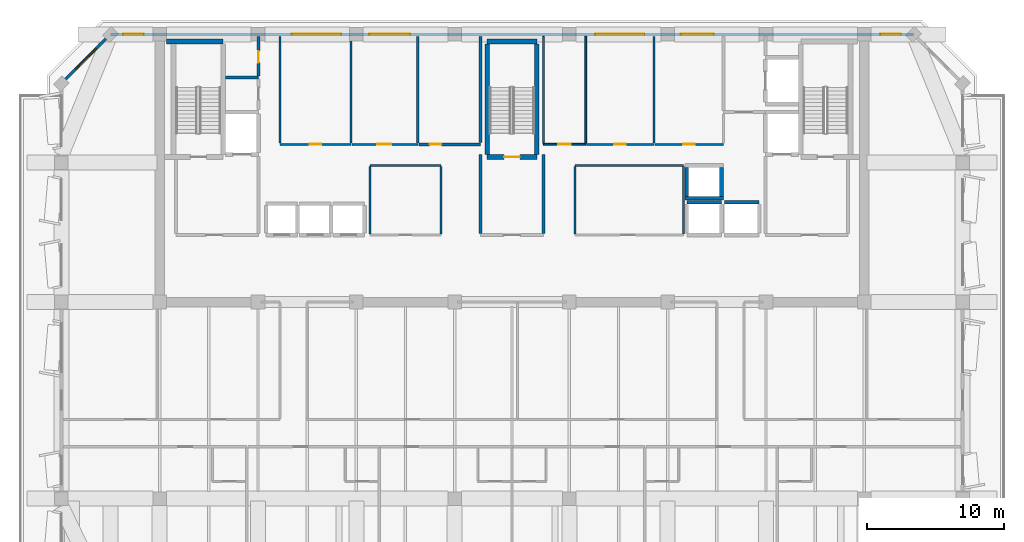
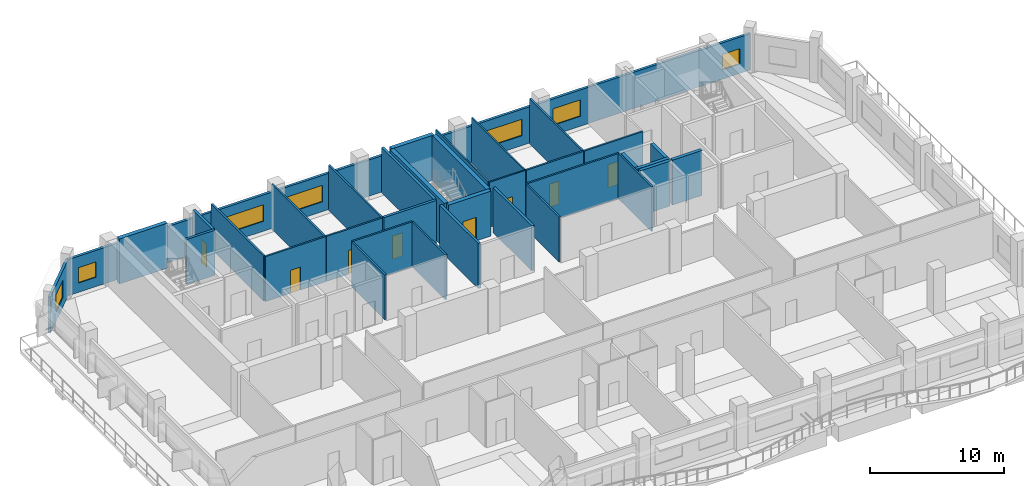
# One storey, part 6 of 12: 35 walls, 8 doors, 7 windows, 15 openings.
"""IFC4 building model written with IfcOpenShell, lengths in metres."""

import ifcopenshell
import ifcopenshell.guid

model = None  # the IFC model being written
_history = None  # IfcOwnerHistory: only IFC2X3 demands one
_inside = {}  # id of a spatial element -> (the spatial element, [elements in it])
_under = {}  # id of a project, library or spatial element -> (it, [spatial elements below it])
_declared = {}  # id of a project -> (the project, [libraries it declares])
_typed = {}  # id of a type object -> (the type object, [elements of that type])
_made_of = {}  # id of a material, layer set ... -> (it, [elements and type objects made of it])


def new_model(schema):
    """Start an empty IFC model of exactly this schema.

    Asked for "IFC4X3", IfcOpenShell would pick the latest addendum, in which some entities
    have other attributes; the version numbers below select the first issue.
    IFC2X3 requires an IfcOwnerHistory on every rooted entity: one is made here for all.
    """
    global model, _history
    if schema == "IFC4X3":
        model = ifcopenshell.file(schema_version=(4, 3, 0, 0))
    else:
        model = ifcopenshell.file(schema=schema)
    _inside.clear()
    _under.clear()
    _declared.clear()
    _typed.clear()
    _made_of.clear()
    _history = None
    if model.schema == "IFC2X3":
        org = make("IfcOrganization", Name="unknown")
        user = make(
            "IfcPersonAndOrganization",
            ThePerson=make("IfcPerson", FamilyName="unknown"),
            TheOrganization=org,
        )
        app = make(
            "IfcApplication",
            ApplicationDeveloper=org,
            Version="unknown",
            ApplicationFullName="unknown",
            ApplicationIdentifier="unknown",
        )
        _history = make(
            "IfcOwnerHistory",
            OwningUser=user,
            OwningApplication=app,
            ChangeAction="ADDED",
            CreationDate=0,
        )
    return model


def make(cls, **values):
    """One entity of the class cls with the attributes given. An attribute that is None is left unset."""
    return model.create_entity(
        cls, **{name: value for name, value in values.items() if value is not None}
    )


def rooted(cls, **values):
    """An entity with a GlobalId (a new one), such as an element, a storey or a relation."""
    return make(cls, GlobalId=ifcopenshell.guid.new(), OwnerHistory=_history, **values)


def si_unit(unit_type, name, prefix=None):
    """IfcSIUnit, for example si_unit("LENGTHUNIT", "METRE", prefix="MILLI")."""
    return make("IfcSIUnit", UnitType=unit_type, Prefix=prefix, Name=name)


def assignment(units):
    """IfcUnitAssignment: the units of a project."""
    return None if units is None else make("IfcUnitAssignment", Units=units)


def point(xyz):
    """IfcCartesianPoint."""
    return None if xyz is None else make("IfcCartesianPoint", Coordinates=xyz)


def direction(xyz):
    """IfcDirection."""
    return None if xyz is None else make("IfcDirection", DirectionRatios=xyz)


def frame(location, z_axis=None, x_axis=None):
    """IfcAxis2Placement3D, a coordinate frame: its origin and axes. An axis left out is left unset."""
    return make(
        "IfcAxis2Placement3D",
        Location=point(location),
        Axis=direction(z_axis),
        RefDirection=direction(x_axis),
    )


def frame_2d(location, x_axis=None):
    """IfcAxis2Placement2D, a coordinate frame in the plane: its origin and x axis."""
    return make(
        "IfcAxis2Placement2D", Location=point(location), RefDirection=direction(x_axis)
    )


def origin():
    """The frame at (0, 0, 0) with its axes left unset."""
    return frame((0.0, 0.0, 0.0))


def place(relative_to, where):
    """IfcLocalPlacement: puts the frame where relative to a parent placement (None: the world)."""
    return make(
        "IfcLocalPlacement", PlacementRelTo=relative_to, RelativePlacement=where
    )


def context(
    kind, dimensions, precision=None, world=None, true_north=None, identifier=None
):
    """IfcGeometricRepresentationContext, for example the 3D "Model" context."""
    return make(
        "IfcGeometricRepresentationContext",
        ContextIdentifier=identifier,
        ContextType=kind,
        CoordinateSpaceDimension=dimensions,
        Precision=precision,
        WorldCoordinateSystem=world,
        TrueNorth=true_north,
    )


def subcontext(parent, identifier, kind, view, scale=None):
    """IfcGeometricRepresentationSubContext, for example "Body" below "Model"."""
    return make(
        "IfcGeometricRepresentationSubContext",
        ContextIdentifier=identifier,
        ContextType=kind,
        ParentContext=parent,
        TargetScale=scale,
        TargetView=view,
    )


def project(units=None, contexts=None):
    """IfcProject with its units and contexts."""
    return rooted(
        "IfcProject",
        Name="project",
        RepresentationContexts=contexts,
        UnitsInContext=assignment(units),
    )


def spatial(cls, under=None, at=None, **own):
    """A site, building, storey or space (cls), placed at a placement, below another one or the project."""
    s = rooted(cls, ObjectPlacement=at, **own)
    if under is not None:
        _under.setdefault(under.id(), (under, []))[1].append(s)
    return s


def profile(cls, at=None, kind="AREA", **sizes):
    """A parametric profile (cls). Its sizes go by their IFC names, for example OverallWidth=200.0."""
    return make(cls, ProfileType=kind, Position=at, **sizes)


def rectangle(**sizes):
    """IfcRectangleProfileDef."""
    return profile("IfcRectangleProfileDef", **sizes)


def extrude(swept, where, along, depth):
    """IfcExtrudedAreaSolid: the profile swept, set in the frame where, extruded along a direction by depth."""
    return make(
        "IfcExtrudedAreaSolid",
        SweptArea=swept,
        Position=where,
        ExtrudedDirection=direction(along),
        Depth=depth,
    )


def shape(context_of_items, identifier, shape_type, items):
    """IfcShapeRepresentation: the items that make up one representation, for example the "Body"."""
    return make(
        "IfcShapeRepresentation",
        ContextOfItems=context_of_items,
        RepresentationIdentifier=identifier,
        RepresentationType=shape_type,
        Items=items,
    )


def material(Name=None, Category=None):
    """IfcMaterial."""
    return make("IfcMaterial", Name=Name, Category=Category)


def layer(
    of_material, thickness, ventilated=None, Name=None, Category=None, Priority=None
):
    """IfcMaterialLayer: one layer of a wall or slab, of a material (None: an air gap)."""
    return make(
        "IfcMaterialLayer",
        Material=of_material,
        LayerThickness=thickness,
        IsVentilated=ventilated,
        Name=Name,
        Category=Category,
        Priority=Priority,
    )


def layer_set(layers, Name=None):
    """IfcMaterialLayerSet."""
    return make("IfcMaterialLayerSet", MaterialLayers=layers, LayerSetName=Name)


def made_of(thing, what):
    """Note that an element or type object is made of a material, layer set ...; save() writes the relation."""
    if what is not None:
        _made_of.setdefault(what.id(), (what, []))[1].append(thing)
    return thing


def type_object(cls, material=None, **own):
    """A type object (cls), such as IfcWallType, which elements share."""
    return made_of(rooted(cls, **own), material)


def element(
    cls,
    number,
    at=None,
    inside=None,
    cuts=None,
    type_object=None,
    material=None,
    context=None,
    identifier="Body",
    shape_type=None,
    held_by="IfcProductDefinitionShape",
    body=None,
    shapes=None,
    **own,
):
    """One element of the class cls, such as IfcWall. Its Tag is "e" and its number.

    at: its placement. inside: the storey or other place that contains it. cuts: it is an
    opening in that element (IfcRelVoidsElement). A single representation is given by context,
    identifier, shape_type and body (its items); several are given by shapes. held_by: the class
    of the entity that holds the representations. save() writes the other relations.
    """
    e = rooted(cls, Tag="e%d" % number, ObjectPlacement=at, **own)
    if body is not None:
        shapes = [shape(context, identifier, shape_type, body)]
    if shapes is not None:
        e.Representation = make(held_by, Representations=shapes)
    if inside is not None:
        _inside.setdefault(inside.id(), (inside, []))[1].append(e)
    if cuts is not None:
        rooted(
            "IfcRelVoidsElement", RelatingBuildingElement=cuts, RelatedOpeningElement=e
        )
    if type_object is not None:
        _typed.setdefault(type_object.id(), (type_object, []))[1].append(e)
    return made_of(e, material)


def fill(opening, filler):
    """IfcRelFillsElement: the door or window that sits in an opening."""
    return rooted(
        "IfcRelFillsElement",
        RelatingOpeningElement=opening,
        RelatedBuildingElement=filler,
    )


def aggregate(whole, parts):
    """IfcRelAggregates: a whole, such as a stair, and the parts it consists of."""
    return rooted("IfcRelAggregates", RelatingObject=whole, RelatedObjects=parts)


def save(model, path):
    """Write the relations noted so far, then the file.

    IfcRelAggregates (storeys below a building ...), IfcRelContainedInSpatialStructure (elements
    in a storey), IfcRelDefinesByType, IfcRelAssociatesMaterial and IfcRelDeclares: one each for
    every whole, place, type object, material and project.
    """
    for whole, parts in _under.values():
        aggregate(whole, parts)
    for where, things in _inside.values():
        rooted(
            "IfcRelContainedInSpatialStructure",
            RelatedElements=things,
            RelatingStructure=where,
        )
    for kind, things in _typed.values():
        rooted("IfcRelDefinesByType", RelatedObjects=things, RelatingType=kind)
    for what, things in _made_of.values():
        rooted("IfcRelAssociatesMaterial", RelatedObjects=things, RelatingMaterial=what)
    for by, libraries in _declared.values():
        rooted("IfcRelDeclares", RelatingContext=by, RelatedDefinitions=libraries)
    model.write(path)


model = new_model("IFC4")

# Units and contexts
model_context = context("Model", 3, precision=1e-05, world=origin(), true_north=direction((0.0, 1.0)))
body_context = subcontext(model_context, "Body", "Model", "MODEL_VIEW")
ifc_project = project(units=[si_unit("LENGTHUNIT", "METRE"), si_unit("AREAUNIT", "SQUARE_METRE"), si_unit("VOLUMEUNIT", "CUBIC_METRE"), si_unit("PLANEANGLEUNIT", "RADIAN"), si_unit("MASSUNIT", "GRAM", prefix="KILO")], contexts=[model_context])

# Site, building, storey
site_placement = place(None, origin())
site = spatial("IfcSite", under=ifc_project, at=site_placement, CompositionType="ELEMENT")
building_placement = place(site_placement, origin())
building = spatial("IfcBuilding", under=site, at=building_placement, Name="Kaelvorn Grand Hotel", CompositionType="ELEMENT")
storey_placement = place(building_placement, frame((0.0, 0.0, 285.89990234375)))
storey = spatial("IfcBuildingStorey", under=building, at=storey_placement, Name="L70", CompositionType="ELEMENT", Elevation=285.89990234375)

# Wall, openings, windows
ifc_material_1 = material(Name="Concrete C40/50", Category="concrete")
ifc_layer_1 = layer(ifc_material_1, 0.219970703125)
ifc_layer_set_1 = layer_set([ifc_layer_1], Name="Concrete C40/50")
wall_type_1 = type_object("IfcWallType", Name="WL-EXT-220-C40", PredefinedType="SOLIDWALL", material=ifc_layer_set_1)
wall_1_placement = place(storey_placement, frame((71.39990234375, 49.0, 0.0), z_axis=(0.0, 0.0, 1.0), x_axis=(-1.0, 0.0, 0.0)))
wall_1 = element("IfcWall", 1, at=wall_1_placement, inside=storey, type_object=wall_type_1, Name="L70 Exterior Architectural Concrete Wall 05", PredefinedType="SOLIDWALL", context=body_context, shape_type="SweptSolid", body=[
    extrude(rectangle(XDim=58.7998046875, YDim=0.219970703125, at=frame_2d((29.39990234375, 0.0))), origin(), (0.0, 0.0, 1.0), 3.300048828125),
])
opening_1_placement = place(wall_1_placement, frame((56.364990234375, 0.0, 0.85009765625)))
opening_1 = element("IfcOpeningElement", 2, at=opening_1_placement, cuts=wall_1, Name="Opening W10", PredefinedType="OPENING", context=body_context, shape_type="SweptSolid", body=[
    extrude(rectangle(XDim=1.5, YDim=1.39990234375, at=frame_2d((0.75, 0.699951171875))), frame((0.0, 0.1201171875, 0.0), z_axis=(0.0, -1.0, 0.0), x_axis=(1.0, 0.0, 0.0)), (0.0, 0.0, 1.0), 0.239990234375),
])
opening_2_placement = place(wall_1_placement, frame((0.93505859375, 0.0, 0.85009765625)))
opening_2 = element("IfcOpeningElement", 3, at=opening_2_placement, cuts=wall_1, Name="Opening W10", PredefinedType="OPENING", context=body_context, shape_type="SweptSolid", body=[
    extrude(rectangle(XDim=1.5, YDim=1.39990234375, at=frame_2d((0.75, 0.699951171875))), frame((0.0, 0.1201171875, 0.0), z_axis=(0.0, -1.0, 0.0), x_axis=(1.0, 0.0, 0.0)), (0.0, 0.0, 1.0), 0.239990234375),
])
opening_3_placement = place(wall_1_placement, frame((41.9150390625, 0.0, 0.89990234375)))
opening_3 = element("IfcOpeningElement", 4, at=opening_3_placement, cuts=wall_1, Name="Opening W3", PredefinedType="OPENING", context=body_context, shape_type="SweptSolid", body=[
    extrude(rectangle(XDim=3.60009765625, YDim=1.5, at=frame_2d((1.800048828125, 0.75))), frame((0.0, 0.1201171875, 0.0), z_axis=(0.0, -1.0, 0.0), x_axis=(1.0, 0.0, 0.0)), (0.0, 0.0, 1.0), 0.239990234375),
])
opening_4_placement = place(wall_1_placement, frame((36.85009765625, 0.0, 0.89990234375)))
opening_4 = element("IfcOpeningElement", 5, at=opening_4_placement, cuts=wall_1, Name="Opening W5", PredefinedType="OPENING", context=body_context, shape_type="SweptSolid", body=[
    extrude(rectangle(XDim=3.0, YDim=1.5, at=frame_2d((1.5, 0.75))), frame((0.0, 0.1201171875, 0.0), z_axis=(0.0, -1.0, 0.0), x_axis=(1.0, 0.0, 0.0)), (0.0, 0.0, 1.0), 0.239990234375),
])
opening_5_placement = place(wall_1_placement, frame((19.699951171875, 0.0, 0.89990234375)))
opening_5 = element("IfcOpeningElement", 6, at=opening_5_placement, cuts=wall_1, Name="Opening W3", PredefinedType="OPENING", context=body_context, shape_type="SweptSolid", body=[
    extrude(rectangle(XDim=3.60009765625, YDim=1.5, at=frame_2d((1.800048828125, 0.75))), frame((0.0, 0.1201171875, 0.0), z_axis=(0.0, -1.0, 0.0), x_axis=(1.0, 0.0, 0.0)), (0.0, 0.0, 1.0), 0.239990234375),
])
opening_6_placement = place(wall_1_placement, frame((14.635009765625, 0.0, 0.89990234375)))
opening_6 = element("IfcOpeningElement", 7, at=opening_6_placement, cuts=wall_1, Name="Opening W6", PredefinedType="OPENING", context=body_context, shape_type="SweptSolid", body=[
    extrude(rectangle(XDim=2.39990234375, YDim=1.5, at=frame_2d((1.199951171875, 0.75))), frame((0.0, 0.1201171875, 0.0), z_axis=(0.0, -1.0, 0.0), x_axis=(1.0, 0.0, 0.0)), (0.0, 0.0, 1.0), 0.239990234375),
])
ifc_material_2 = material(Name="Laminated Low-E Glass", Category="glass")
window_type_1 = type_object("IfcWindowType", Name="WIN-COR-1500x1400", PartitioningType="SINGLE_PANEL", PredefinedType="WINDOW", material=ifc_material_2)
window_1_placement = place(opening_1_placement, origin())
window_1 = element("IfcWindow", 8, at=window_1_placement, inside=storey, type_object=window_type_1, Name="L70 North Wing Ribbon Window NW01", OverallHeight=1.39990234375, OverallWidth=1.5, PartitioningType="SINGLE_PANEL", PredefinedType="WINDOW", context=body_context, shape_type="SweptSolid", body=[
    extrude(rectangle(XDim=1.5, YDim=1.39990234375, at=frame_2d((0.75, 0.699951171875))), frame((0.0, 0.030029296875, 0.0), z_axis=(0.0, -1.0, 0.0), x_axis=(1.0, 0.0, 0.0)), (0.0, 0.0, 1.0), 0.06005859375),
])
fill(opening_1, window_1)
window_2_placement = place(opening_2_placement, origin())
window_2 = element("IfcWindow", 9, at=window_2_placement, inside=storey, type_object=window_type_1, Name="L70 North Wing Ribbon Window NW02", OverallHeight=1.39990234375, OverallWidth=1.5, PartitioningType="SINGLE_PANEL", PredefinedType="WINDOW", context=body_context, shape_type="SweptSolid", body=[
    extrude(rectangle(XDim=1.5, YDim=1.39990234375, at=frame_2d((0.75, 0.699951171875))), frame((0.0, 0.030029296875, 0.0), z_axis=(0.0, -1.0, 0.0), x_axis=(1.0, 0.0, 0.0)), (0.0, 0.0, 1.0), 0.06005859375),
])
fill(opening_2, window_2)
window_type_2 = type_object("IfcWindowType", Name="WIN-NTH-2400x1500", PartitioningType="SINGLE_PANEL", PredefinedType="WINDOW", material=ifc_material_2)
window_3_placement = place(opening_6_placement, origin())
window_3 = element("IfcWindow", 10, at=window_3_placement, inside=storey, type_object=window_type_2, Name="L70 North Core Clerestory Ribbon Window NC06", OverallHeight=1.5, OverallWidth=2.39990234375, PartitioningType="SINGLE_PANEL", PredefinedType="WINDOW", context=body_context, shape_type="SweptSolid", body=[
    extrude(rectangle(XDim=2.39990234375, YDim=1.5, at=frame_2d((1.199951171875, 0.75))), frame((0.0, 0.030029296875, 0.0), z_axis=(0.0, -1.0, 0.0), x_axis=(1.0, 0.0, 0.0)), (0.0, 0.0, 1.0), 0.06005859375),
])
fill(opening_6, window_3)
window_type_3 = type_object("IfcWindowType", Name="WIN-NTH-3000x1500", PartitioningType="SINGLE_PANEL", PredefinedType="WINDOW", material=ifc_material_2)
window_4_placement = place(opening_4_placement, origin())
window_4 = element("IfcWindow", 11, at=window_4_placement, inside=storey, type_object=window_type_3, Name="L70 North Core Clerestory Ribbon Window NC04", OverallHeight=1.5, OverallWidth=3.0, PartitioningType="SINGLE_PANEL", PredefinedType="WINDOW", context=body_context, shape_type="SweptSolid", body=[
    extrude(rectangle(XDim=3.0, YDim=1.5, at=frame_2d((1.5, 0.75))), frame((0.0, 0.030029296875, 0.0), z_axis=(0.0, -1.0, 0.0), x_axis=(1.0, 0.0, 0.0)), (0.0, 0.0, 1.0), 0.06005859375),
])
fill(opening_4, window_4)
window_type_4 = type_object("IfcWindowType", Name="WIN-RIB-3600x1750", PartitioningType="SINGLE_PANEL", PredefinedType="WINDOW", material=ifc_material_2)
window_5_placement = place(opening_3_placement, origin())
window_5 = element("IfcWindow", 12, at=window_5_placement, inside=storey, type_object=window_type_4, Name="L70 North Core Clerestory Ribbon Window NC03", OverallHeight=1.5, OverallWidth=3.60009765625, PartitioningType="SINGLE_PANEL", PredefinedType="WINDOW", context=body_context, shape_type="SweptSolid", body=[
    extrude(rectangle(XDim=3.60009765625, YDim=1.5, at=frame_2d((1.800048828125, 0.75))), frame((0.0, 0.030029296875, 0.0), z_axis=(0.0, -1.0, 0.0), x_axis=(1.0, 0.0, 0.0)), (0.0, 0.0, 1.0), 0.06005859375),
])
fill(opening_3, window_5)
window_6_placement = place(opening_5_placement, origin())
window_6 = element("IfcWindow", 13, at=window_6_placement, inside=storey, type_object=window_type_4, Name="L70 North Core Clerestory Ribbon Window NC05", OverallHeight=1.5, OverallWidth=3.60009765625, PartitioningType="SINGLE_PANEL", PredefinedType="WINDOW", context=body_context, shape_type="SweptSolid", body=[
    extrude(rectangle(XDim=3.60009765625, YDim=1.5, at=frame_2d((1.800048828125, 0.75))), frame((0.0, 0.030029296875, 0.0), z_axis=(0.0, -1.0, 0.0), x_axis=(1.0, 0.0, 0.0)), (0.0, 0.0, 1.0), 0.06005859375),
])
fill(opening_5, window_6)

# Wall, opening, window
wall_2_placement = place(storey_placement, frame((12.60009765625, 49.0, 0.0), z_axis=(0.0, 0.0, 1.0), x_axis=(-0.707106781187, -0.707106781187, 0.0)))
wall_2 = element("IfcWall", 14, at=wall_2_placement, inside=storey, type_object=wall_type_1, Name="L70 Exterior Architectural Concrete Wall 06", PredefinedType="SOLIDWALL", context=body_context, shape_type="SweptSolid", body=[
    extrude(rectangle(XDim=5.09130859375, YDim=0.219970703125, at=frame_2d((2.545654296875, 0.0))), origin(), (0.0, 0.0, 1.0), 3.300048828125),
])
opening_7_placement = place(wall_2_placement, frame((1.49560546875, 0.0, 0.85009765625)))
opening_7 = element("IfcOpeningElement", 15, at=opening_7_placement, cuts=wall_2, Name="Opening W7", PredefinedType="OPENING", context=body_context, shape_type="SweptSolid", body=[
    extrude(rectangle(XDim=2.10009765625, YDim=1.60009765625, at=frame_2d((1.050048828125, 0.800048828125))), frame((0.0, 0.1201171875, 0.0), z_axis=(0.0, -1.0, 0.0), x_axis=(1.0, 0.0, 0.0)), (0.0, 0.0, 1.0), 0.239990234375),
])
window_type_5 = type_object("IfcWindowType", Name="WIN-CHM-2100x1600", PartitioningType="SINGLE_PANEL", PredefinedType="WINDOW", material=ifc_material_2)
window_7_placement = place(opening_7_placement, origin())
window_7 = element("IfcWindow", 16, at=window_7_placement, inside=storey, type_object=window_type_5, Name="L70 Chamfered 45-Degree Corner Window NW", OverallHeight=1.60009765625, OverallWidth=2.10009765625, PartitioningType="SINGLE_PANEL", PredefinedType="WINDOW", context=body_context, shape_type="SweptSolid", body=[
    extrude(rectangle(XDim=2.10009765625, YDim=1.60009765625, at=frame_2d((1.050048828125, 0.800048828125))), frame((0.0, 0.030029296875, 0.0), z_axis=(0.0, -1.0, 0.0), x_axis=(1.0, 0.0, 0.0)), (0.0, 0.0, 1.0), 0.06005859375),
])
fill(opening_7, window_7)

# Wall, opening, door
ifc_material_3 = material(Name="Moisture-Resistant Tile & Stud Board")
ifc_layer_2 = layer(ifc_material_3, 0.125)
ifc_layer_set_2 = layer_set([ifc_layer_2], Name="Moisture-Resistant Tile & Stud Board")
wall_type_2 = type_object("IfcWallType", Name="WL-PART-125-WET", PredefinedType="PARTITIONING", material=ifc_layer_set_2)
wall_3_placement = place(storey_placement, frame((44.300048828125, 40.949951171875, 0.0), z_axis=(0.0, 0.0, 1.0), x_axis=(1.0, 0.0, 0.0)))
wall_3 = element("IfcWall", 17, at=wall_3_placement, inside=storey, type_object=wall_type_2, Name="L70 Accessible WC S Partition", PredefinedType="PARTITIONING", context=body_context, shape_type="SweptSolid", body=[
    extrude(rectangle(XDim=3.099853515625, YDim=0.125, at=frame_2d((1.5498046875, 0.0))), origin(), (0.0, 0.0, 1.0), 4.10009765625),
])
opening_8_placement = place(wall_3_placement, frame((1.10009765625, 0.0, 0.0)))
opening_8 = element("IfcOpeningElement", 18, at=opening_8_placement, cuts=wall_3, Name="Opening DI4", PredefinedType="OPENING", context=body_context, shape_type="SweptSolid", body=[
    extrude(rectangle(XDim=0.89990234375, YDim=2.10009765625, at=frame_2d((0.449951171875, 1.050048828125))), frame((0.0, 0.072509765625, 0.0), z_axis=(0.0, -1.0, 0.0), x_axis=(1.0, 0.0, 0.0)), (0.0, 0.0, 1.0), 0.14501953125),
])
ifc_material_4 = material(Name="Timber Veneer Leaf", Category="wood")
door_type_1 = type_object("IfcDoorType", Name="DR-INT-BATH-900x2100", OperationType="NOTDEFINED", PredefinedType="DOOR", material=ifc_material_4)
door_1_placement = place(opening_8_placement, origin())
door_1 = element("IfcDoor", 19, at=door_1_placement, inside=storey, type_object=door_type_1, Name="L70 Accessible WC Door", OperationType="SINGLE_SWING_RIGHT", OverallHeight=2.10009765625, OverallWidth=0.89990234375, PredefinedType="DOOR", context=body_context, shape_type="SweptSolid", body=[
    extrude(rectangle(XDim=0.89990234375, YDim=2.10009765625, at=frame_2d((0.449951171875, 1.050048828125))), frame((0.0, 0.02490234375, 0.0), z_axis=(0.0, -1.0, 0.0), x_axis=(1.0, 0.0, 0.0)), (0.0, 0.0, 1.0), 0.050048828125),
])
fill(opening_8, door_1)

# Walls
for number, where, z_axis, x_axis, name in (
    (20, (44.300048828125, 41.017578125, 0.0), (0.0, 0.0, 1.0), (0.0, 1.0, 0.0), "L70 Accessible WC W Partition"),
    (21, (47.39990234375, 41.017578125, 0.0), (0.0, 0.0, 1.0), (0.0, 1.0, 0.0), "L70 Accessible WC E Partition"),
):
    element("IfcWall", number, at=place(storey_placement, frame(where, z_axis=z_axis, x_axis=x_axis)), inside=storey, type_object=wall_type_2, Name=name, PredefinedType="PARTITIONING", context=body_context, shape_type="SweptSolid", body=[
        extrude(rectangle(XDim=7.83251953125, YDim=0.125, at=frame_2d((3.916259765625, 0.0))), origin(), (0.0, 0.0, 1.0), 4.10009765625),
    ])
ifc_material_5 = material(Name="Acoustic Gypsum & Stud Partition")
ifc_layer_3 = layer(ifc_material_5, 0.14990234375)
ifc_layer_set_3 = layer_set([ifc_layer_3], Name="Acoustic Gypsum & Stud Partition")
wall_type_3 = type_object("IfcWallType", Name="WL-PART-150-EI60", PredefinedType="PARTITIONING", material=ifc_layer_set_3)
wall_4_placement = place(storey_placement, frame((31.60009765625, 39.39990234375, 0.0), z_axis=(0.0, 0.0, 1.0), x_axis=(1.0, 0.0, 0.0)))
element("IfcWall", 22, at=wall_4_placement, inside=storey, type_object=wall_type_3, Name="L70 Core Telecoms & BMS Server Room N Partition", PredefinedType="PARTITIONING", context=body_context, shape_type="SweptSolid", body=[
    extrude(rectangle(XDim=5.199951171875, YDim=0.14990234375, at=frame_2d((2.60009765625, 0.0))), origin(), (0.0, 0.0, 1.0), 4.10009765625),
])
for number, where, z_axis, x_axis, name in (
    (23, (31.60009765625, 34.3798828125, 0.0), (0.0, 0.0, 1.0), (0.0, 1.0, 0.0), "L70 Core Telecoms & BMS Server Room W Partition"),
    (24, (36.800048828125, 34.3798828125, 0.0), (0.0, 0.0, 1.0), (0.0, 1.0, 0.0), "L70 Core Telecoms & BMS Server Room E Partition"),
):
    element("IfcWall", number, at=place(storey_placement, frame(where, z_axis=z_axis, x_axis=x_axis)), inside=storey, type_object=wall_type_3, Name=name, PredefinedType="PARTITIONING", context=body_context, shape_type="SweptSolid", body=[
        extrude(rectangle(XDim=4.940185546875, YDim=0.14990234375, at=frame_2d((2.47021484375, 0.0))), origin(), (0.0, 0.0, 1.0), 4.10009765625),
    ])
wall_5_placement = place(storey_placement, frame((46.60009765625, 39.39990234375, 0.0), z_axis=(0.0, 0.0, 1.0), x_axis=(1.0, 0.0, 0.0)))
element("IfcWall", 25, at=wall_5_placement, inside=storey, type_object=wall_type_3, Name="L70 Sky Concierge & Butler Pantry Lounge N Partition", PredefinedType="PARTITIONING", context=body_context, shape_type="SweptSolid", body=[
    extrude(rectangle(XDim=7.949951171875, YDim=0.14990234375, at=frame_2d((3.97509765625, 0.0))), origin(), (0.0, 0.0, 1.0), 4.10009765625),
])
for number, where, z_axis, x_axis, name in (
    (26, (46.60009765625, 34.3798828125, 0.0), (0.0, 0.0, 1.0), (0.0, 1.0, 0.0), "L70 Sky Concierge & Butler Pantry Lounge W Partition"),
    (27, (54.550048828125, 34.3798828125, 0.0), (0.0, 0.0, 1.0), (0.0, 1.0, 0.0), "L70 Sky Concierge & Butler Pantry Lounge E Partition"),
):
    element("IfcWall", number, at=place(storey_placement, frame(where, z_axis=z_axis, x_axis=x_axis)), inside=storey, type_object=wall_type_3, Name=name, PredefinedType="PARTITIONING", context=body_context, shape_type="SweptSolid", body=[
        extrude(rectangle(XDim=4.940185546875, YDim=0.14990234375, at=frame_2d((2.47021484375, 0.0))), origin(), (0.0, 0.0, 1.0), 4.10009765625),
    ])

# Wall, opening, door
wall_6_placement = place(storey_placement, frame((25.0, 40.949951171875, 0.0), z_axis=(0.0, 0.0, 1.0), x_axis=(1.0, 0.0, 0.0)))
wall_6 = element("IfcWall", 28, at=wall_6_placement, inside=storey, type_object=wall_type_3, Name="L70 Housekeeping & Linen Room S Partition", PredefinedType="PARTITIONING", context=body_context, shape_type="SweptSolid", body=[
    extrude(rectangle(XDim=5.199951171875, YDim=0.14990234375, at=frame_2d((2.60009765625, 0.0))), origin(), (0.0, 0.0, 1.0), 4.10009765625),
])
opening_9_placement = place(wall_6_placement, frame((2.175048828125, 0.0, 0.0)))
opening_9 = element("IfcOpeningElement", 29, at=opening_9_placement, cuts=wall_6, Name="Opening DI7", PredefinedType="OPENING", context=body_context, shape_type="SweptSolid", body=[
    extrude(rectangle(XDim=0.85009765625, YDim=2.10009765625, at=frame_2d((0.425048828125, 1.050048828125))), frame((0.0, 0.0849609375, 0.0), z_axis=(0.0, -1.0, 0.0), x_axis=(1.0, 0.0, 0.0)), (0.0, 0.0, 1.0), 0.169921875),
])
ifc_material_6 = material(Name="Powder-Coated Steel Leaf", Category="steel")
door_type_2 = type_object("IfcDoorType", Name="DR-INT-RISER-850x2100", OperationType="NOTDEFINED", PredefinedType="DOOR", material=ifc_material_6)
door_2_placement = place(opening_9_placement, origin())
door_2 = element("IfcDoor", 30, at=door_2_placement, inside=storey, type_object=door_type_2, Name="L70 Housekeeping & Linen Room Door", OperationType="SINGLE_SWING_LEFT", OverallHeight=2.10009765625, OverallWidth=0.85009765625, PredefinedType="DOOR", context=body_context, shape_type="SweptSolid", body=[
    extrude(rectangle(XDim=0.85009765625, YDim=2.10009765625, at=frame_2d((0.425048828125, 1.050048828125))), frame((0.0, 0.02490234375, 0.0), z_axis=(0.0, -1.0, 0.0), x_axis=(1.0, 0.0, 0.0)), (0.0, 0.0, 1.0), 0.050048828125),
])
fill(opening_9, door_2)

# Walls
for number, where, z_axis, x_axis, name in (
    (31, (25.0, 41.030029296875, 0.0), (0.0, 0.0, 1.0), (0.0, 1.0, 0.0), "L70 Housekeeping & Linen Room W Partition"),
    (32, (30.199951171875, 41.030029296875, 0.0), (0.0, 0.0, 1.0), (0.0, 1.0, 0.0), "L70 Housekeeping & Linen Room E Partition"),
):
    element("IfcWall", number, at=place(storey_placement, frame(where, z_axis=z_axis, x_axis=x_axis)), inside=storey, type_object=wall_type_3, Name=name, PredefinedType="PARTITIONING", context=body_context, shape_type="SweptSolid", body=[
        extrude(rectangle(XDim=7.820068359375, YDim=0.14990234375, at=frame_2d((3.91015625, 0.0))), origin(), (0.0, 0.0, 1.0), 4.10009765625),
    ])

# Wall, opening, door
wall_7_placement = place(storey_placement, frame((30.280029296875, 40.949951171875, 0.0), z_axis=(0.0, 0.0, 1.0), x_axis=(1.0, 0.0, 0.0)))
wall_7 = element("IfcWall", 33, at=wall_7_placement, inside=storey, type_object=wall_type_3, Name="L70 Room Service Servery Pantry S Partition", PredefinedType="PARTITIONING", context=body_context, shape_type="SweptSolid", body=[
    extrude(rectangle(XDim=4.820068359375, YDim=0.14990234375, at=frame_2d((2.41015625, 0.0))), origin(), (0.0, 0.0, 1.0), 4.10009765625),
])
opening_10_placement = place(wall_7_placement, frame((1.8701171875, 0.0, 0.0)))
opening_10 = element("IfcOpeningElement", 34, at=opening_10_placement, cuts=wall_7, Name="Opening DI3", PredefinedType="OPENING", context=body_context, shape_type="SweptSolid", body=[
    extrude(rectangle(XDim=1.0, YDim=2.14990234375, at=frame_2d((0.5, 1.074951171875))), frame((0.0, 0.0849609375, 0.0), z_axis=(0.0, -1.0, 0.0), x_axis=(1.0, 0.0, 0.0)), (0.0, 0.0, 1.0), 0.169921875),
])
ifc_material_7 = material(Name="Timber Veneer Fire Leaf", Category="wood")
door_type_3 = type_object("IfcDoorType", Name="DR-INT-GUEST-1000x2150", OperationType="NOTDEFINED", PredefinedType="DOOR", material=ifc_material_7)
door_3_placement = place(opening_10_placement, origin())
door_3 = element("IfcDoor", 35, at=door_3_placement, inside=storey, type_object=door_type_3, Name="L70 Room Service Servery Pantry Door", OperationType="SINGLE_SWING_RIGHT", OverallHeight=2.14990234375, OverallWidth=1.0, PredefinedType="DOOR", context=body_context, shape_type="SweptSolid", body=[
    extrude(rectangle(XDim=1.0, YDim=2.14990234375, at=frame_2d((0.5, 1.074951171875))), frame((0.0, 0.02490234375, 0.0), z_axis=(0.0, -1.0, 0.0), x_axis=(1.0, 0.0, 0.0)), (0.0, 0.0, 1.0), 0.050048828125),
])
fill(opening_10, door_3)

# Wall
wall_8_placement = place(storey_placement, frame((35.10009765625, 41.030029296875, 0.0), z_axis=(0.0, 0.0, 1.0), x_axis=(0.0, 1.0, 0.0)))
element("IfcWall", 36, at=wall_8_placement, inside=storey, type_object=wall_type_3, Name="L70 Room Service Servery Pantry E Partition", PredefinedType="PARTITIONING", context=body_context, shape_type="SweptSolid", body=[
    extrude(rectangle(XDim=7.820068359375, YDim=0.14990234375, at=frame_2d((3.91015625, 0.0))), origin(), (0.0, 0.0, 1.0), 4.10009765625),
])

# Wall, opening, door
wall_9_placement = place(storey_placement, frame((47.467529296875, 40.949951171875, 0.0), z_axis=(0.0, 0.0, 1.0), x_axis=(1.0, 0.0, 0.0)))
wall_9 = element("IfcWall", 37, at=wall_9_placement, inside=storey, type_object=wall_type_3, Name="L70 Valet & Luggage Store S Partition", PredefinedType="PARTITIONING", context=body_context, shape_type="SweptSolid", body=[
    extrude(rectangle(XDim=4.932373046875, YDim=0.14990234375, at=frame_2d((2.46630859375, 0.0))), origin(), (0.0, 0.0, 1.0), 4.10009765625),
])
opening_11_placement = place(wall_9_placement, frame((2.007568359375, 0.0, 0.0)))
opening_11 = element("IfcOpeningElement", 38, at=opening_11_placement, cuts=wall_9, Name="Opening DI7", PredefinedType="OPENING", context=body_context, shape_type="SweptSolid", body=[
    extrude(rectangle(XDim=0.85009765625, YDim=2.10009765625, at=frame_2d((0.425048828125, 1.050048828125))), frame((0.0, 0.0849609375, 0.0), z_axis=(0.0, -1.0, 0.0), x_axis=(1.0, 0.0, 0.0)), (0.0, 0.0, 1.0), 0.169921875),
])
door_4_placement = place(opening_11_placement, origin())
door_4 = element("IfcDoor", 39, at=door_4_placement, inside=storey, type_object=door_type_2, Name="L70 Valet & Luggage Store Door", OperationType="SINGLE_SWING_LEFT", OverallHeight=2.10009765625, OverallWidth=0.85009765625, PredefinedType="DOOR", context=body_context, shape_type="SweptSolid", body=[
    extrude(rectangle(XDim=0.85009765625, YDim=2.10009765625, at=frame_2d((0.425048828125, 1.050048828125))), frame((0.0, 0.02490234375, 0.0), z_axis=(0.0, -1.0, 0.0), x_axis=(1.0, 0.0, 0.0)), (0.0, 0.0, 1.0), 0.050048828125),
])
fill(opening_11, door_4)

# Wall
wall_10_placement = place(storey_placement, frame((52.39990234375, 41.030029296875, 0.0), z_axis=(0.0, 0.0, 1.0), x_axis=(0.0, 1.0, 0.0)))
element("IfcWall", 40, at=wall_10_placement, inside=storey, type_object=wall_type_3, Name="L70 Valet & Luggage Store E Partition", PredefinedType="PARTITIONING", context=body_context, shape_type="SweptSolid", body=[
    extrude(rectangle(XDim=7.820068359375, YDim=0.14990234375, at=frame_2d((3.91015625, 0.0))), origin(), (0.0, 0.0, 1.0), 4.10009765625),
])

# Wall, opening, door
wall_11_placement = place(storey_placement, frame((52.47998046875, 40.949951171875, 0.0), z_axis=(0.0, 0.0, 1.0), x_axis=(1.0, 0.0, 0.0)))
wall_11 = element("IfcWall", 41, at=wall_11_placement, inside=storey, type_object=wall_type_3, Name="L70 Clean Utility & Amenity Store S Partition", PredefinedType="PARTITIONING", context=body_context, shape_type="SweptSolid", body=[
    extrude(rectangle(XDim=5.02001953125, YDim=0.14990234375, at=frame_2d((2.510009765625, 0.0))), origin(), (0.0, 0.0, 1.0), 4.10009765625),
])
opening_12_placement = place(wall_11_placement, frame((2.044921875, 0.0, 0.0)))
opening_12 = element("IfcOpeningElement", 42, at=opening_12_placement, cuts=wall_11, Name="Opening DI7", PredefinedType="OPENING", context=body_context, shape_type="SweptSolid", body=[
    extrude(rectangle(XDim=0.85009765625, YDim=2.10009765625, at=frame_2d((0.425048828125, 1.050048828125))), frame((0.0, 0.0849609375, 0.0), z_axis=(0.0, -1.0, 0.0), x_axis=(1.0, 0.0, 0.0)), (0.0, 0.0, 1.0), 0.169921875),
])
door_5_placement = place(opening_12_placement, origin())
door_5 = element("IfcDoor", 43, at=door_5_placement, inside=storey, type_object=door_type_2, Name="L70 Clean Utility & Amenity Store Door", OperationType="SINGLE_SWING_RIGHT", OverallHeight=2.10009765625, OverallWidth=0.85009765625, PredefinedType="DOOR", context=body_context, shape_type="SweptSolid", body=[
    extrude(rectangle(XDim=0.85009765625, YDim=2.10009765625, at=frame_2d((0.425048828125, 1.050048828125))), frame((0.0, 0.02490234375, 0.0), z_axis=(0.0, -1.0, 0.0), x_axis=(1.0, 0.0, 0.0)), (0.0, 0.0, 1.0), 0.050048828125),
])
fill(opening_12, door_5)

# Walls
ifc_layer_4 = layer(ifc_material_1, 0.219970703125)
ifc_layer_set_4 = layer_set([ifc_layer_4], Name="Concrete C40/50")
wall_type_4 = type_object("IfcWallType", Name="WL-PART-220-EI120", PredefinedType="PARTITIONING", material=ifc_layer_set_4)
for number, where, z_axis, x_axis, name in (
    (44, (39.699951171875, 34.4150390625, 0.0), (0.0, 0.0, 1.0), (0.0, 1.0, 0.0), "L70 Central Stair Escape Vestibule W Partition"),
    (45, (44.300048828125, 34.4150390625, 0.0), (0.0, 0.0, 1.0), (0.0, 1.0, 0.0), "L70 Central Stair Escape Vestibule E Partition"),
):
    element("IfcWall", number, at=place(storey_placement, frame(where, z_axis=z_axis, x_axis=x_axis)), inside=storey, type_object=wall_type_4, Name=name, PredefinedType="PARTITIONING", context=body_context, shape_type="SweptSolid", body=[
        extrude(rectangle(XDim=5.784912109375, YDim=0.219970703125, at=frame_2d((2.892578125, 0.0))), origin(), (0.0, 0.0, 1.0), 4.10009765625),
    ])
wall_12_placement = place(storey_placement, frame((21.034912109375, 45.85009765625, 0.0), z_axis=(0.0, 0.0, 1.0), x_axis=(1.0, 0.0, 0.0)))
element("IfcWall", 46, at=wall_12_placement, inside=storey, type_object=wall_type_4, Name="L70 Wet Fire & Plumbing Riser Shaft N Partition", PredefinedType="PARTITIONING", context=body_context, shape_type="SweptSolid", body=[
    extrude(rectangle(XDim=2.4150390625, YDim=0.219970703125, at=frame_2d((1.20751953125, 0.0))), origin(), (0.0, 0.0, 1.0), 4.10009765625),
])

# Wall, opening, door
wall_13_placement = place(storey_placement, frame((23.449951171875, 45.965087890625, 0.0), z_axis=(0.0, 0.0, 1.0), x_axis=(0.0, 1.0, 0.0)))
wall_13 = element("IfcWall", 47, at=wall_13_placement, inside=storey, type_object=wall_type_4, Name="L70 HV Electrical & Smoke Riser E Partition", PredefinedType="PARTITIONING", context=body_context, shape_type="SweptSolid", body=[
    extrude(rectangle(XDim=2.885009765625, YDim=0.219970703125, at=frame_2d((1.4423828125, 0.0))), origin(), (0.0, 0.0, 1.0), 4.10009765625),
])
opening_13_placement = place(wall_13_placement, frame((0.9599609375, 0.0, 0.0)))
opening_13 = element("IfcOpeningElement", 48, at=opening_13_placement, cuts=wall_13, Name="Opening DI7", PredefinedType="OPENING", context=body_context, shape_type="SweptSolid", body=[
    extrude(rectangle(XDim=0.85009765625, YDim=2.10009765625, at=frame_2d((0.425048828125, 1.050048828125))), frame((0.0, 0.1201171875, 0.0), z_axis=(0.0, -1.0, 0.0), x_axis=(1.0, 0.0, 0.0)), (0.0, 0.0, 1.0), 0.239990234375),
])
door_6_placement = place(opening_13_placement, origin())
door_6 = element("IfcDoor", 49, at=door_6_placement, inside=storey, type_object=door_type_2, Name="L70 HV Electrical & Smoke Riser Door", OperationType="SINGLE_SWING_RIGHT", OverallHeight=2.10009765625, OverallWidth=0.85009765625, PredefinedType="DOOR", context=body_context, shape_type="SweptSolid", body=[
    extrude(rectangle(XDim=0.85009765625, YDim=2.10009765625, at=frame_2d((0.425048828125, 1.050048828125))), frame((0.0, 0.02490234375, 0.0), z_axis=(0.0, -1.0, 0.0), x_axis=(1.0, 0.0, 0.0)), (0.0, 0.0, 1.0), 0.050048828125),
])
fill(opening_13, door_6)

wall_14_placement = place(storey_placement, frame((35.179931640625, 40.949951171875, 0.0), z_axis=(0.0, 0.0, 1.0), x_axis=(1.0, 0.0, 0.0)))
wall_14 = element("IfcWall", 50, at=wall_14_placement, inside=storey, type_object=wall_type_4, Name="L70 Floor Electrical Switchroom S Partition", PredefinedType="PARTITIONING", context=body_context, shape_type="SweptSolid", body=[
    extrude(rectangle(XDim=4.52001953125, YDim=0.219970703125, at=frame_2d((2.260009765625, 0.0))), origin(), (0.0, 0.0, 1.0), 4.10009765625),
])
opening_14_placement = place(wall_14_placement, frame((0.794921875, 0.0, 0.0)))
opening_14 = element("IfcOpeningElement", 51, at=opening_14_placement, cuts=wall_14, Name="Opening DI7", PredefinedType="OPENING", context=body_context, shape_type="SweptSolid", body=[
    extrude(rectangle(XDim=0.85009765625, YDim=2.10009765625, at=frame_2d((0.425048828125, 1.050048828125))), frame((0.0, 0.1201171875, 0.0), z_axis=(0.0, -1.0, 0.0), x_axis=(1.0, 0.0, 0.0)), (0.0, 0.0, 1.0), 0.239990234375),
])
door_7_placement = place(opening_14_placement, origin())
door_7 = element("IfcDoor", 52, at=door_7_placement, inside=storey, type_object=door_type_2, Name="L70 Floor Electrical Switchroom Door", OperationType="SINGLE_SWING_LEFT", OverallHeight=2.10009765625, OverallWidth=0.85009765625, PredefinedType="DOOR", context=body_context, shape_type="SweptSolid", body=[
    extrude(rectangle(XDim=0.85009765625, YDim=2.10009765625, at=frame_2d((0.425048828125, 1.050048828125))), frame((0.0, 0.02490234375, 0.0), z_axis=(0.0, -1.0, 0.0), x_axis=(1.0, 0.0, 0.0)), (0.0, 0.0, 1.0), 0.050048828125),
])
fill(opening_14, door_7)

# Walls
wall_15_placement = place(storey_placement, frame((39.699951171875, 41.06494140625, 0.0), z_axis=(0.0, 0.0, 1.0), x_axis=(0.0, 1.0, 0.0)))
element("IfcWall", 53, at=wall_15_placement, inside=storey, type_object=wall_type_4, Name="L70 Floor Electrical Switchroom E Partition", PredefinedType="PARTITIONING", context=body_context, shape_type="SweptSolid", body=[
    extrude(rectangle(XDim=7.78515625, YDim=0.219970703125, at=frame_2d((3.892578125, 0.0))), origin(), (0.0, 0.0, 1.0), 4.10009765625),
])
ifc_material_8 = material(Name="Concrete C50/60", Category="concrete")
ifc_layer_5 = layer(ifc_material_8, 0.280029296875)
ifc_layer_set_5 = layer_set([ifc_layer_5], Name="Concrete C50/60")
wall_type_5 = type_object("IfcWallType", Name="WL-SHAFT-280-C50", PredefinedType="SHEAR", material=ifc_layer_set_5)
for number, where, z_axis, x_axis, name in (
    (54, (54.800048828125, 36.699951171875, 0.0), (0.0, 0.0, 1.0), (1.0, 0.0, 0.0), "L70 Lift OL-1 Shaft North Wall"),
    (55, (57.550048828125, 36.699951171875, 0.0), (0.0, 0.0, 1.0), (1.0, 0.0, 0.0), "L70 Lift OL-2 Shaft North Wall"),
):
    element("IfcWall", number, at=place(storey_placement, frame(where, z_axis=z_axis, x_axis=x_axis)), inside=storey, type_object=wall_type_5, Name=name, PredefinedType="SHEAR", context=body_context, shape_type="SweptSolid", body=[
        extrude(rectangle(XDim=2.550048828125, YDim=0.280029296875, at=frame_2d((1.27490234375, 0.0))), origin(), (0.0, 0.0, 1.0), 4.10009765625),
    ])
wall_16_placement = place(storey_placement, frame((54.659912109375, 37.0, 0.0), z_axis=(0.0, 0.0, 1.0), x_axis=(1.0, 0.0, 0.0)))
element("IfcWall", 56, at=wall_16_placement, inside=storey, type_object=wall_type_5, Name="L70 Lift OL-3 Shaft South Wall", PredefinedType="SHEAR", context=body_context, shape_type="SweptSolid", body=[
    extrude(rectangle(XDim=2.830078125, YDim=0.280029296875, at=frame_2d((1.4150390625, 0.0))), origin(), (0.0, 0.0, 1.0), 4.10009765625),
])
for number, where, z_axis, x_axis, name in (
    (57, (54.800048828125, 37.14501953125, 0.0), (0.0, 0.0, 1.0), (0.0, 1.0, 0.0), "L70 Lift OL-3 Shaft West Wall"),
    (58, (57.35009765625, 37.14501953125, 0.0), (0.0, 0.0, 1.0), (0.0, 1.0, 0.0), "L70 Lift OL-3 Shaft East Wall"),
):
    element("IfcWall", number, at=place(storey_placement, frame(where, z_axis=z_axis, x_axis=x_axis)), inside=storey, type_object=wall_type_5, Name=name, PredefinedType="SHEAR", context=body_context, shape_type="SweptSolid", body=[
        extrude(rectangle(XDim=2.10986328125, YDim=0.280029296875, at=frame_2d((1.054931640625, 0.0))), origin(), (0.0, 0.0, 1.0), 4.10009765625),
    ])
ifc_material_9 = material(Name="Concrete C60/75", Category="concrete")
ifc_layer_6 = layer(ifc_material_9, 0.35009765625)
ifc_layer_set_6 = layer_set([ifc_layer_6], Name="Concrete C60/75")
wall_type_6 = type_object("IfcWallType", Name="WL-SHAFT-350-C60", PredefinedType="SHEAR", material=ifc_layer_set_6)
wall_17_placement = place(storey_placement, frame((16.705078125, 48.47509765625, 0.0), z_axis=(0.0, 0.0, 1.0), x_axis=(1.0, 0.0, 0.0)))
element("IfcWall", 59, at=wall_17_placement, inside=storey, type_object=wall_type_6, Name="L70 ST1 Stair Shaft North Wall", PredefinedType="SHEAR", context=body_context, shape_type="SweptSolid", body=[
    extrude(rectangle(XDim=4.14990234375, YDim=0.35009765625, at=frame_2d((2.074951171875, 0.0))), origin(), (0.0, 0.0, 1.0), 4.10009765625),
])

# Wall, opening, door
wall_18_placement = place(storey_placement, frame((40.18505859375, 40.02490234375, 0.0), z_axis=(0.0, 0.0, 1.0), x_axis=(1.0, 0.0, 0.0)))
wall_18 = element("IfcWall", 60, at=wall_18_placement, inside=storey, type_object=wall_type_6, Name="L70 ST2 Stair Shaft South Wall", PredefinedType="SHEAR", context=body_context, shape_type="SweptSolid", body=[
    extrude(rectangle(XDim=3.6298828125, YDim=0.35009765625, at=frame_2d((1.81494140625, 0.0))), origin(), (0.0, 0.0, 1.0), 4.10009765625),
])
opening_15_placement = place(wall_18_placement, frame((1.239990234375, 0.0, 0.0)))
opening_15 = element("IfcOpeningElement", 61, at=opening_15_placement, cuts=wall_18, Name="Opening DI1", PredefinedType="OPENING", context=body_context, shape_type="SweptSolid", body=[
    extrude(rectangle(XDim=1.14990234375, YDim=2.14990234375, at=frame_2d((0.574951171875, 1.074951171875))), frame((0.0, 0.18505859375, 0.0), z_axis=(0.0, -1.0, 0.0), x_axis=(1.0, 0.0, 0.0)), (0.0, 0.0, 1.0), 0.3701171875),
])
door_type_4 = type_object("IfcDoorType", Name="DR-INT-STAIR-1150x2150", OperationType="NOTDEFINED", PredefinedType="DOOR", material=ifc_material_7)
door_8_placement = place(opening_15_placement, origin())
door_8 = element("IfcDoor", 62, at=door_8_placement, inside=storey, type_object=door_type_4, Name="L70 ST2 Exit Stair Fire Door", OperationType="SINGLE_SWING_LEFT", OverallHeight=2.14990234375, OverallWidth=1.14990234375, PredefinedType="DOOR", context=body_context, shape_type="SweptSolid", body=[
    extrude(rectangle(XDim=1.14990234375, YDim=2.14990234375, at=frame_2d((0.574951171875, 1.074951171875))), frame((0.0, 0.02490234375, 0.0), z_axis=(0.0, -1.0, 0.0), x_axis=(1.0, 0.0, 0.0)), (0.0, 0.0, 1.0), 0.050048828125),
])
fill(opening_15, door_8)

# Walls
wall_19_placement = place(storey_placement, frame((40.18505859375, 48.47509765625, 0.0), z_axis=(0.0, 0.0, 1.0), x_axis=(1.0, 0.0, 0.0)))
element("IfcWall", 63, at=wall_19_placement, inside=storey, type_object=wall_type_6, Name="L70 ST2 Stair Shaft North Wall", PredefinedType="SHEAR", context=body_context, shape_type="SweptSolid", body=[
    extrude(rectangle(XDim=3.6298828125, YDim=0.35009765625, at=frame_2d((1.81494140625, 0.0))), origin(), (0.0, 0.0, 1.0), 4.10009765625),
])
for number, where, z_axis, x_axis, name in (
    (64, (40.18505859375, 40.205078125, 0.0), (0.0, 0.0, 1.0), (0.0, 1.0, 0.0), "L70 ST2 Stair Shaft West Wall"),
    (65, (43.81494140625, 40.205078125, 0.0), (0.0, 0.0, 1.0), (0.0, 1.0, 0.0), "L70 ST2 Stair Shaft East Wall"),
):
    element("IfcWall", number, at=place(storey_placement, frame(where, z_axis=z_axis, x_axis=x_axis)), inside=storey, type_object=wall_type_6, Name=name, PredefinedType="SHEAR", context=body_context, shape_type="SweptSolid", body=[
        extrude(rectangle(XDim=8.08984375, YDim=0.35009765625, at=frame_2d((4.044921875, 0.0))), origin(), (0.0, 0.0, 1.0), 4.10009765625),
    ])

save(model, "model.ifc")
